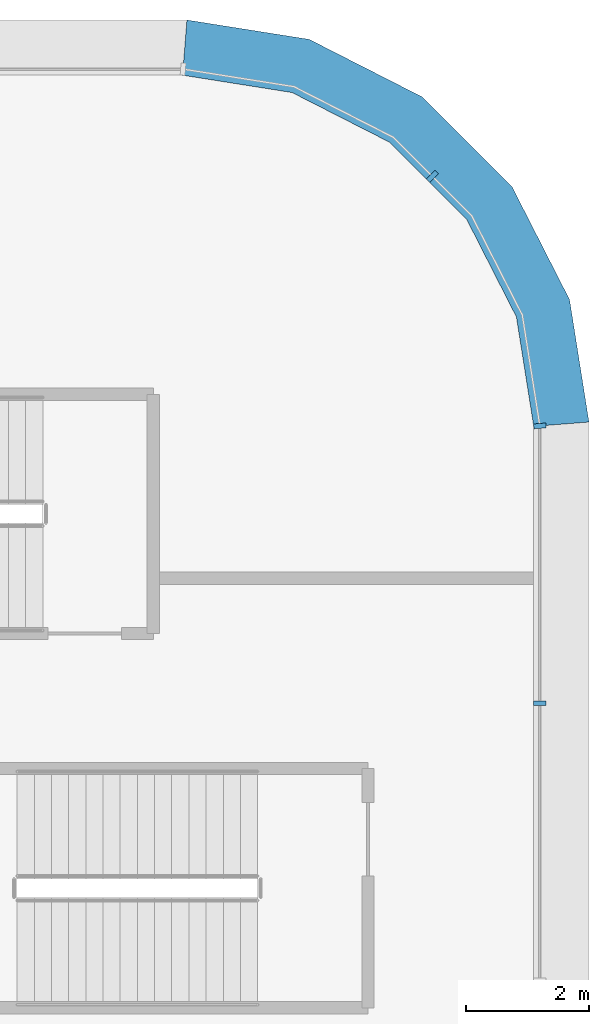
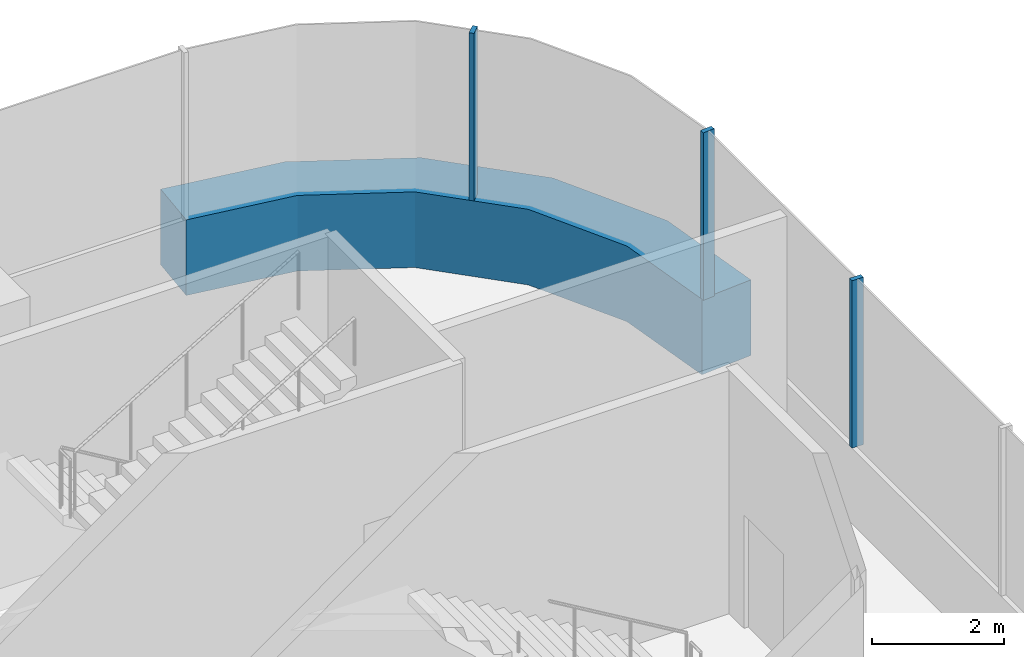
# One storey, part 20 of 44: 4 members, 2 elements without a shape of their own.
"""IFC4 building model written with IfcOpenShell, lengths in metres."""

from ifc_helpers import new_model, si_unit, direction, frame, origin, origin_2d, place, context, subcontext, project, spatial, polyline, rectangle, outline, extrude, material, layer, layer_set, material_profile, profile_set, type_object, element, aggregate, save


model = new_model("IFC4")

# Units and contexts
model_context = context("Model", 3, precision=1e-05, world=origin(), true_north=direction((0.0, 1.0)))
body_context = subcontext(model_context, "Body", "Model", "MODEL_VIEW")
ifc_project = project(units=[si_unit("LENGTHUNIT", "METRE"), si_unit("AREAUNIT", "SQUARE_METRE"), si_unit("VOLUMEUNIT", "CUBIC_METRE"), si_unit("PLANEANGLEUNIT", "RADIAN"), si_unit("MASSUNIT", "GRAM", prefix="KILO")], contexts=[model_context])

# Site, building, storey
site_placement = place(None, origin())
site = spatial("IfcSite", under=ifc_project, at=site_placement, CompositionType="ELEMENT")
building_placement = place(site_placement, origin())
building = spatial("IfcBuilding", under=site, at=building_placement, Name="Tamarind Cross Interchange Tower", CompositionType="ELEMENT")
storey_placement = place(building_placement, frame((0.0, 0.0, 15.0)))
storey = spatial("IfcBuildingStorey", under=building, at=storey_placement, Name="L02", CompositionType="ELEMENT", Elevation=15.0)

# Curtain wall, member
ifc_material_1 = material(Name="Aluminium 6063-T6", Category="aluminium")
ifc_layer = layer(ifc_material_1, 0.199951171875)
ifc_layer_set = layer_set([ifc_layer], Name="Aluminium 6063-T6")
curtain_wall_type = type_object("IfcCurtainWallType", Name="Podium shopfront and station curtain wall", PredefinedType="NOTDEFINED", material=ifc_layer_set)
curtain_wall_1_placement = place(storey_placement, origin())
curtain_wall_1 = element("IfcCurtainWall", 1, at=curtain_wall_1_placement, inside=storey, type_object=curtain_wall_type, Name="CWS-L02-01", PredefinedType="NOTDEFINED")
ifc_material_2 = material(Name="Aluminium and insulated spandrel panel", Category="aluminium")
member_type_1 = type_object("IfcMemberType", Name="Floor-edge blade transom", PredefinedType="USERDEFINED", material=ifc_material_2)
member_1_placement = place(storey_placement, origin())
member_1 = element("IfcMember", 2, at=member_1_placement, type_object=member_type_1, Name="CWT-L02-01", ObjectType="TRANSOM", PredefinedType="USERDEFINED", context=body_context, shape_type="SweptSolid", body=[
    extrude(outline(polyline([(65.699951171875, 51.976318359375), (65.41748046875, 53.76025390625), (64.6083984375, 55.34814453125), (63.34814453125, 56.6083984375), (61.76025390625, 57.41748046875), (59.976318359375, 57.699951171875), (60.047119140625, 58.60009765625), (62.041748046875, 58.2841796875), (63.8837890625, 57.345458984375), (65.345458984375, 55.8837890625), (66.2841796875, 54.041748046875), (66.60009765625, 52.047119140625), (65.699951171875, 51.976318359375)])), origin(), (0.0, 0.0, 1.0), 1.39990234375),
])

curtain_wall_2_placement = place(storey_placement, origin())
curtain_wall_2 = element("IfcCurtainWall", 3, at=curtain_wall_2_placement, inside=storey, type_object=curtain_wall_type, Name="CWS-L02-00", PredefinedType="NOTDEFINED")
ifc_material_profile = material_profile(ifc_material_1, rectangle(XDim=0.080078125, YDim=0.199951171875, at=origin_2d()), Name="Mullion CW3")
ifc_profile_set = profile_set([ifc_material_profile], Name="Aluminium 6063-T6")
member_type_2 = type_object("IfcMemberType", Name="Mullion CW3", PredefinedType="MULLION", material=ifc_profile_set)
member_2_placement = place(storey_placement, frame((65.800048828125, 47.4638671875, 1.39990234375), z_axis=(0.0, 0.0, 1.0), x_axis=(0.0, 1.0, 0.0)))
member_2 = element("IfcMember", 4, at=member_2_placement, type_object=member_type_2, Name="CWM-L02-00-22", PredefinedType="MULLION", context=body_context, shape_type="SweptSolid", body=[
    extrude(rectangle(XDim=0.080078125, YDim=0.199951171875, at=origin_2d()), origin(), (0.0, 0.0, 1.0), 3.10009765625),
])
aggregate(curtain_wall_2, [member_2])

# Member
member_3_placement = place(storey_placement, frame((65.800048828125, 51.984375, 1.39990234375), z_axis=(0.0, 0.0, 1.0), x_axis=(-0.078459095728, 0.996917333733, 0.0)))
member_3 = element("IfcMember", 5, at=member_3_placement, type_object=member_type_2, Name="CWM-L02-01-00", PredefinedType="MULLION", context=body_context, shape_type="SweptSolid", body=[
    extrude(rectangle(XDim=0.080078125, YDim=0.199951171875, at=origin_2d()), origin(), (0.0, 0.0, 1.0), 3.10009765625),
])

member_4_placement = place(storey_placement, frame((64.049072265625, 56.049072265625, 1.39990234375), z_axis=(0.0, 0.0, 1.0), x_axis=(-0.707106781187, 0.707106781187, 0.0)))
member_4 = element("IfcMember", 6, at=member_4_placement, type_object=member_type_2, Name="CWM-L02-01-01", PredefinedType="MULLION", context=body_context, shape_type="SweptSolid", body=[
    extrude(rectangle(XDim=0.080078125, YDim=0.199951171875, at=origin_2d()), origin(), (0.0, 0.0, 1.0), 3.10009765625),
])

aggregate(curtain_wall_1, [member_3, member_4, member_1])

save(model, "model.ifc")
